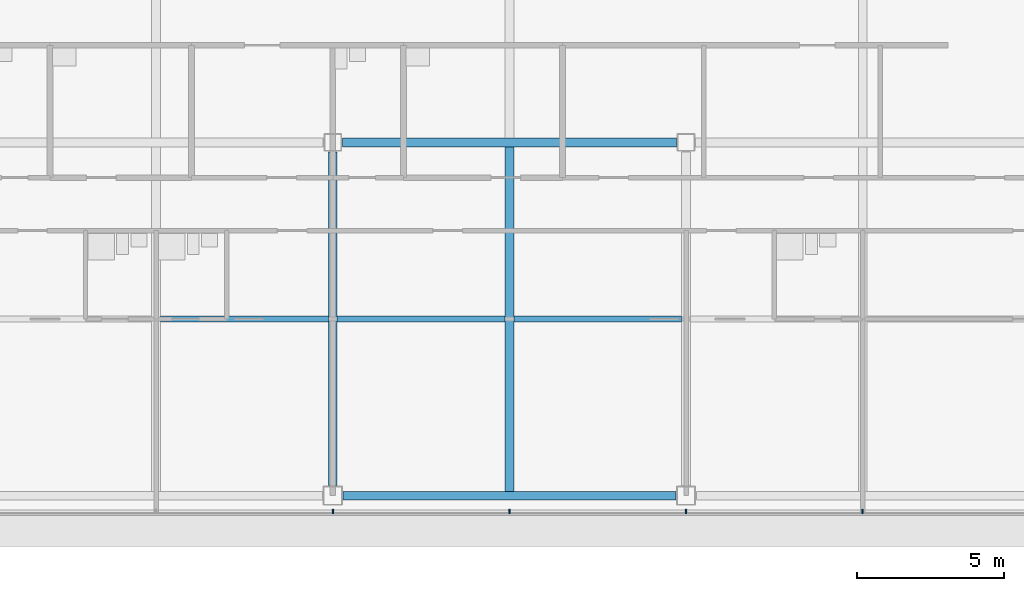
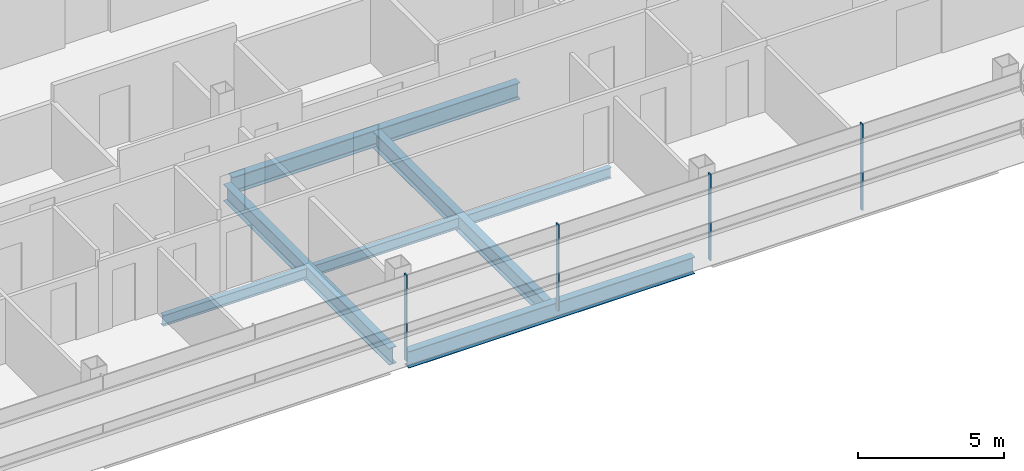
# One storey, part 8 of 29: 7 beams, 4 members, 1 element without a shape of its own.
"""IFC4 building model written with IfcOpenShell, lengths in metres."""

from ifc_helpers import new_model, si_unit, direction, frame, origin, origin_2d, place, context, subcontext, project, spatial, rectangle, i_section, extrude, material, material_profile, profile_set, type_object, element, aggregate, save


model = new_model("IFC4")

# Units and contexts
model_context = context("Model", 3, precision=1e-05, world=origin(), true_north=direction((0.0, 1.0)))
body_context = subcontext(model_context, "Body", "Model", "MODEL_VIEW")
ifc_project = project(units=[si_unit("LENGTHUNIT", "METRE"), si_unit("AREAUNIT", "SQUARE_METRE"), si_unit("VOLUMEUNIT", "CUBIC_METRE"), si_unit("PLANEANGLEUNIT", "RADIAN"), si_unit("MASSUNIT", "GRAM", prefix="KILO")], contexts=[model_context])

# Site, building, storey
site_placement = place(None, origin())
site = spatial("IfcSite", under=ifc_project, at=site_placement, CompositionType="ELEMENT")
building_placement = place(site_placement, origin())
building = spatial("IfcBuilding", under=site, at=building_placement, Name="Sorahane Residences", CompositionType="ELEMENT")
storey_placement = place(building_placement, frame((0.0, 0.0, 199.199951171875)))
storey = spatial("IfcBuildingStorey", under=building, at=storey_placement, Name="L46", CompositionType="ELEMENT", Elevation=199.199951171875)

# Curtain wall, members
ifc_material_1 = material(Name="Dark low-e glass and black anodised aluminium", Category="aluminium")
curtain_wall_type = type_object("IfcCurtainWallType", Name="Curtain wall CW-1 Typical unitised wall", PredefinedType="NOTDEFINED", material=ifc_material_1)
curtain_wall_placement = place(storey_placement, origin())
curtain_wall = element("IfcCurtainWall", 1, at=curtain_wall_placement, inside=storey, type_object=curtain_wall_type, Name="CW-1 curtain wall L46 S1", PredefinedType="NOTDEFINED")
ifc_material_2 = material(Name="Black anodised aluminium", Category="aluminium")
ifc_material_profile_1 = material_profile(ifc_material_2, rectangle(XDim=0.159912109375, YDim=0.050048828125, at=origin_2d()), Name="Curtain wall mullion CW-1 black anodised aluminium 50x160")
ifc_profile_set_1 = profile_set([ifc_material_profile_1], Name="Black anodised aluminium")
member_type = type_object("IfcMemberType", Name="Curtain wall mullion CW-1 black anodised aluminium 50x160", PredefinedType="MULLION", material=ifc_profile_set_1)
member_1_placement = place(storey_placement, frame((24.0, -0.5400390625, -0.179931640625), z_axis=(0.0, 0.0, 1.0), x_axis=(0.0, -1.0, 0.0)))
member_1 = element("IfcMember", 2, at=member_1_placement, type_object=member_type, Name="CW-1 mullion L46 S1.6", PredefinedType="MULLION", context=body_context, shape_type="SweptSolid", body=[
    extrude(rectangle(XDim=0.159912109375, YDim=0.050048828125, at=origin_2d()), origin(), (0.0, 0.0, 1.0), 3.60009765625),
])
member_2_placement = place(storey_placement, frame((30.0, -0.5400390625, -0.179931640625), z_axis=(0.0, 0.0, 1.0), x_axis=(0.0, -1.0, 0.0)))
member_2 = element("IfcMember", 3, at=member_2_placement, type_object=member_type, Name="CW-1 mullion L46 S1.7", PredefinedType="MULLION", context=body_context, shape_type="SweptSolid", body=[
    extrude(rectangle(XDim=0.159912109375, YDim=0.050048828125, at=origin_2d()), origin(), (0.0, 0.0, 1.0), 3.60009765625),
])
member_3_placement = place(storey_placement, frame((36.0, -0.5400390625, -0.179931640625), z_axis=(0.0, 0.0, 1.0), x_axis=(0.0, -1.0, 0.0)))
member_3 = element("IfcMember", 4, at=member_3_placement, type_object=member_type, Name="CW-1 mullion L46 S1.8", PredefinedType="MULLION", context=body_context, shape_type="SweptSolid", body=[
    extrude(rectangle(XDim=0.159912109375, YDim=0.050048828125, at=origin_2d()), origin(), (0.0, 0.0, 1.0), 3.60009765625),
])
member_4_placement = place(storey_placement, frame((42.0, -0.5400390625, -0.179931640625), z_axis=(0.0, 0.0, 1.0), x_axis=(0.0, -1.0, 0.0)))
member_4 = element("IfcMember", 5, at=member_4_placement, type_object=member_type, Name="CW-1 mullion L46 S1.9", PredefinedType="MULLION", context=body_context, shape_type="SweptSolid", body=[
    extrude(rectangle(XDim=0.159912109375, YDim=0.050048828125, at=origin_2d()), origin(), (0.0, 0.0, 1.0), 3.60009765625),
])
aggregate(curtain_wall, [member_1, member_2, member_3, member_4])

# Beams
ifc_material_3 = material(Name="Steel Q355B", Category="steel")
ifc_material_profile_2 = material_profile(ifc_material_3, i_section(OverallWidth=0.199951171875, OverallDepth=0.449951171875, WebThickness=0.009033203125, FlangeThickness=0.013916015625, FilletRadius=0.02001953125, at=origin_2d()), Name="HN 450x200x9x14")
ifc_profile_set_2 = profile_set([ifc_material_profile_2], Name="Steel Q355B")
beam_type_1 = type_object("IfcBeamType", Name="Steel floor beam HN 450x200x9x14 Q355B", PredefinedType="BEAM", material=ifc_profile_set_2)
for number, where, z_axis, x_axis, name in (
    (6, (18.14990234375, 6.0, -0.405029296875), (1.0, 0.0, 0.0), (0.0, 1.0, 0.0), "Beam L46 069"),
    (7, (24.14990234375, 6.0, -0.405029296875), (1.0, 0.0, 0.0), (0.0, 1.0, 0.0), "Beam L46 070"),
    (8, (30.14990234375, 6.0, -0.405029296875), (1.0, 0.0, 0.0), (0.0, 1.0, 0.0), "Beam L46 071"),
):
    element("IfcBeam", number, at=place(storey_placement, frame(where, z_axis=z_axis, x_axis=x_axis)), inside=storey, type_object=beam_type_1, Name=name, PredefinedType="BEAM", context=body_context, shape_type="SweptSolid", body=[
        extrude(i_section(OverallWidth=0.199951171875, OverallDepth=0.449951171875, WebThickness=0.009033203125, FlangeThickness=0.013916015625, FilletRadius=0.02001953125, at=origin_2d()), origin(), (0.0, 0.0, 1.0), 5.7001953125),
    ])
ifc_material_4 = material(Name="Steel Q355B", Category="steel")
ifc_material_profile_3 = material_profile(ifc_material_4, i_section(OverallWidth=0.300048828125, OverallDepth=0.699951171875, WebThickness=0.012939453125, FlangeThickness=0.02392578125, FilletRadius=0.028076171875, at=origin_2d()), Name="HN 700x300x13x24")
ifc_profile_set_3 = profile_set([ifc_material_profile_3], Name="Steel Q355B")
beam_type_2 = type_object("IfcBeamType", Name="Steel floor beam HN 700x300x13x24 Q355B", PredefinedType="BEAM", material=ifc_profile_set_3)
beam_1_placement = place(storey_placement, frame((24.35009765625, 0.0, -0.530029296875), z_axis=(1.0, 0.0, 0.0), x_axis=(0.0, 1.0, 0.0)))
element("IfcBeam", 9, at=beam_1_placement, inside=storey, type_object=beam_type_2, Name="Beam L46 003", PredefinedType="BEAM", context=body_context, shape_type="SweptSolid", body=[
    extrude(i_section(OverallWidth=0.300048828125, OverallDepth=0.699951171875, WebThickness=0.012939453125, FlangeThickness=0.02392578125, FilletRadius=0.028076171875, at=origin_2d()), origin(), (0.0, 0.0, 1.0), 11.2998046875),
])
beam_2_placement = place(storey_placement, frame((24.324951171875, 12.0, -0.530029296875), z_axis=(1.0, 0.0, 0.0), x_axis=(0.0, 1.0, 0.0)))
element("IfcBeam", 10, at=beam_2_placement, inside=storey, type_object=beam_type_2, Name="Beam L46 008", PredefinedType="BEAM", context=body_context, shape_type="SweptSolid", body=[
    extrude(i_section(OverallWidth=0.300048828125, OverallDepth=0.699951171875, WebThickness=0.012939453125, FlangeThickness=0.02392578125, FilletRadius=0.028076171875, at=origin_2d()), origin(), (0.0, 0.0, 1.0), 11.35009765625),
])
beam_3_placement = place(storey_placement, frame((24.0, 0.35009765625, -0.530029296875), z_axis=(0.0, 1.0, 0.0), x_axis=(-1.0, 0.0, 0.0)))
element("IfcBeam", 11, at=beam_3_placement, inside=storey, type_object=beam_type_2, Name="Beam L46 041", PredefinedType="BEAM", context=body_context, shape_type="SweptSolid", body=[
    extrude(i_section(OverallWidth=0.300048828125, OverallDepth=0.699951171875, WebThickness=0.012939453125, FlangeThickness=0.02392578125, FilletRadius=0.028076171875, at=origin_2d()), origin(), (0.0, 0.0, 1.0), 11.324951171875),
])
beam_4_placement = place(storey_placement, frame((30.0, 0.14990234375, -0.530029296875), z_axis=(0.0, 1.0, 0.0), x_axis=(-1.0, 0.0, 0.0)))
element("IfcBeam", 12, at=beam_4_placement, inside=storey, type_object=beam_type_2, Name="Beam L46 043", PredefinedType="BEAM", context=body_context, shape_type="SweptSolid", body=[
    extrude(i_section(OverallWidth=0.300048828125, OverallDepth=0.699951171875, WebThickness=0.012939453125, FlangeThickness=0.02392578125, FilletRadius=0.028076171875, at=origin_2d()), origin(), (0.0, 0.0, 1.0), 11.7001953125),
])

save(model, "model.ifc")
